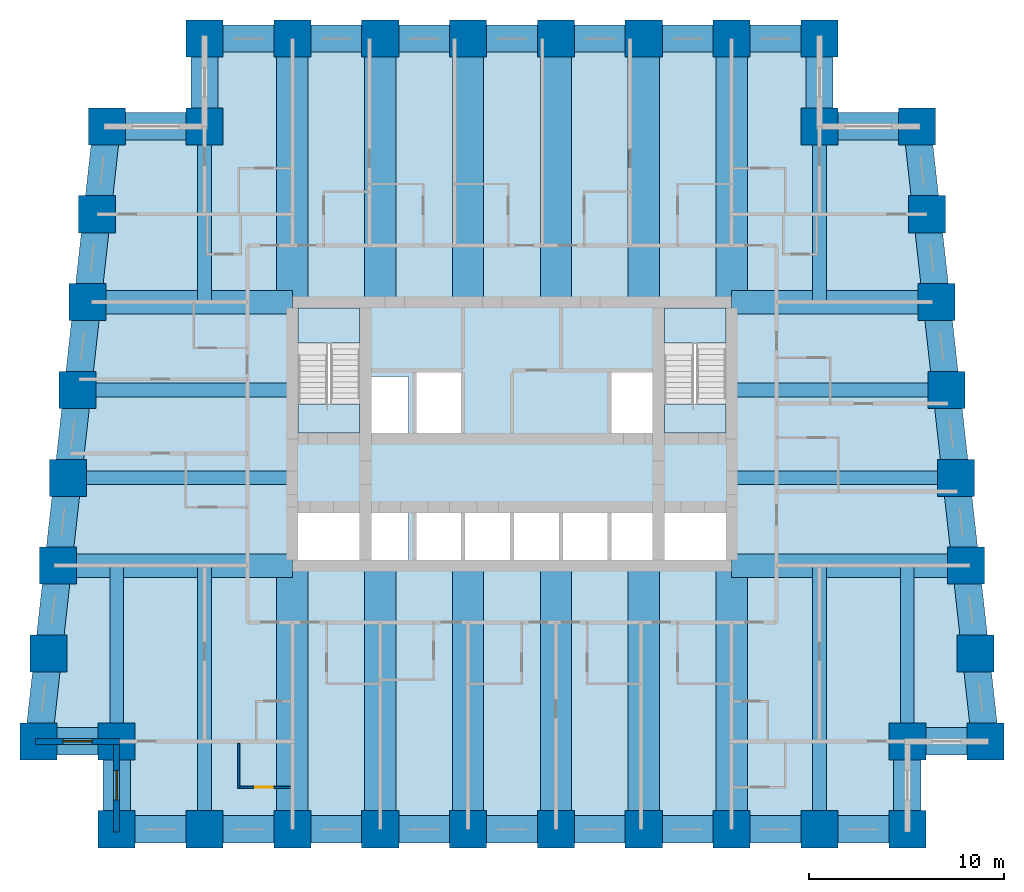
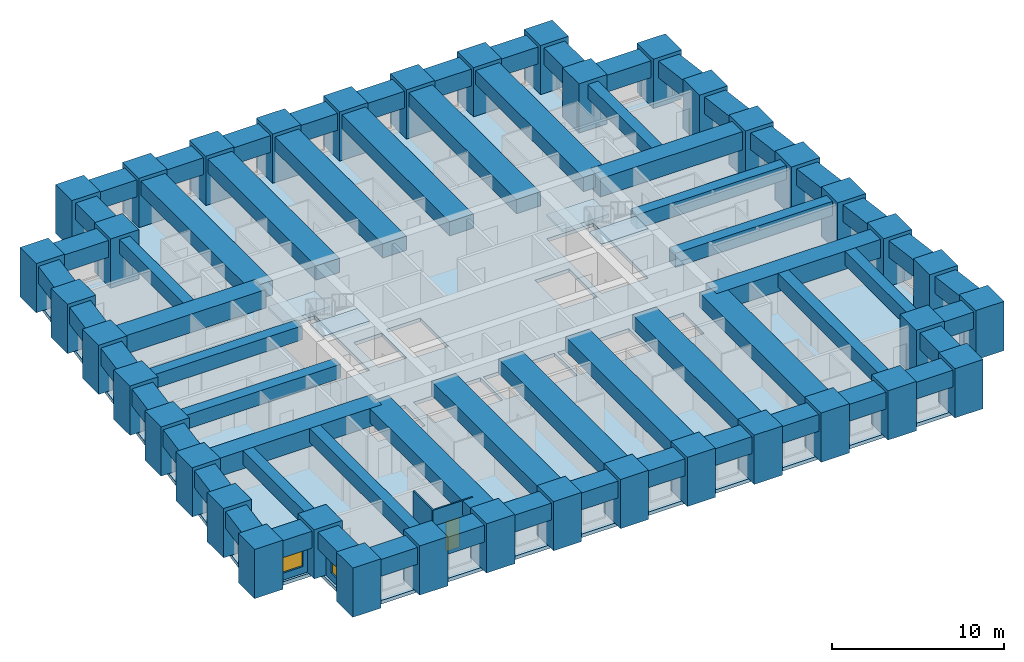
# One storey, part 1 of 8: 64 beams, 38 columns, 5 slabs, 4 walls, 2 windows, 1 door, 3 openings, 2 elements without a shape of their own.
"""IFC4 building model written with IfcOpenShell, lengths in metres."""

from ifc_helpers import new_model, si_unit, direction, frame, frame_2d, origin, origin_2d, place, context, subcontext, project, spatial, polyline, rectangle, outline, extrude, material, layer, layer_set, material_profile, profile_set, type_object, element, fill, aggregate, save


model = new_model("IFC4")

# Units and contexts
model_context = context("Model", 3, precision=1e-05, world=origin(), true_north=direction((0.0, 1.0)))
body_context = subcontext(model_context, "Body", "Model", "MODEL_VIEW")
ifc_project = project(units=[si_unit("LENGTHUNIT", "METRE"), si_unit("AREAUNIT", "SQUARE_METRE"), si_unit("VOLUMEUNIT", "CUBIC_METRE"), si_unit("PLANEANGLEUNIT", "RADIAN"), si_unit("MASSUNIT", "GRAM", prefix="KILO")], contexts=[model_context])

# Site, building, storey
site_placement = place(None, origin())
site = spatial("IfcSite", under=ifc_project, at=site_placement, CompositionType="ELEMENT")
building_placement = place(site_placement, origin())
building = spatial("IfcBuilding", under=site, at=building_placement, Name="Kilele Tower Hotel", CompositionType="ELEMENT")
storey_placement = place(building_placement, frame((0.0, 0.0, 61.199951171875)))
storey = spatial("IfcBuildingStorey", under=building, at=storey_placement, Name="L14", CompositionType="ELEMENT", Elevation=61.199951171875)

# Columns
ifc_material_1 = material(Name="Concrete C80/95", Category="concrete")
ifc_material_profile_1 = material_profile(ifc_material_1, rectangle(XDim=1.89990234375, YDim=1.89990234375, at=origin_2d()))
ifc_profile_set_1 = profile_set([ifc_material_profile_1], Name="Concrete C80/95")
column_type = type_object("IfcColumnType", Name="Tube column RC 1900x1900 C80/95", PredefinedType="COLUMN", material=ifc_profile_set_1)
for number, where, z_axis, x_axis, name in (
    (1, (0.5, 4.5, 0.0), (0.0, 0.0, 1.0), (1.0, 0.0, 0.0), "Column TC1 L14"),
    (2, (4.5, 4.5, 0.0), (0.0, 0.0, 1.0), (1.0, 0.0, 0.0), "Column TC1 L14"),
    (3, (4.5, 0.0, 0.0), (0.0, 0.0, 1.0), (1.0, 0.0, 0.0), "Column TC1 L14"),
    (4, (9.0, 0.0, 0.0), (0.0, 0.0, 1.0), (1.0, 0.0, 0.0), "Column TC1 L14"),
    (5, (13.5, 0.0, 0.0), (0.0, 0.0, 1.0), (1.0, 0.0, 0.0), "Column TC1 L14"),
    (6, (18.0, 0.0, 0.0), (0.0, 0.0, 1.0), (1.0, 0.0, 0.0), "Column TC1 L14"),
    (7, (22.5, 0.0, 0.0), (0.0, 0.0, 1.0), (1.0, 0.0, 0.0), "Column TC1 L14"),
    (8, (27.0, 0.0, 0.0), (0.0, 0.0, 1.0), (1.0, 0.0, 0.0), "Column TC1 L14"),
    (9, (31.5, 0.0, 0.0), (0.0, 0.0, 1.0), (1.0, 0.0, 0.0), "Column TC1 L14"),
    (10, (36.0, 0.0, 0.0), (0.0, 0.0, 1.0), (1.0, 0.0, 0.0), "Column TC1 L14"),
    (11, (40.5, 0.0, 0.0), (0.0, 0.0, 1.0), (1.0, 0.0, 0.0), "Column TC1 L14"),
    (12, (45.0, 0.0, 0.0), (0.0, 0.0, 1.0), (1.0, 0.0, 0.0), "Column TC1 L14"),
    (13, (45.0, 4.5, 0.0), (0.0, 0.0, 1.0), (1.0, 0.0, 0.0), "Column TC1 L14"),
    (14, (49.0, 4.5, 0.0), (0.0, 0.0, 1.0), (1.0, 0.0, 0.0), "Column TC1 L14"),
    (15, (48.5, 9.0, 0.0), (0.0, 0.0, 1.0), (1.0, 0.0, 0.0), "Column TC1 L14"),
    (16, (48.0, 13.5, 0.0), (0.0, 0.0, 1.0), (1.0, 0.0, 0.0), "Column TC1 L14"),
    (17, (47.5, 18.0, 0.0), (0.0, 0.0, 1.0), (1.0, 0.0, 0.0), "Column TC1 L14"),
    (18, (47.0, 22.5, 0.0), (0.0, 0.0, 1.0), (1.0, 0.0, 0.0), "Column TC1 L14"),
    (19, (46.5, 27.0, 0.0), (0.0, 0.0, 1.0), (1.0, 0.0, 0.0), "Column TC1 L14"),
    (20, (46.0, 31.5, 0.0), (0.0, 0.0, 1.0), (1.0, 0.0, 0.0), "Column TC1 L14"),
    (21, (45.5, 36.0, 0.0), (0.0, 0.0, 1.0), (1.0, 0.0, 0.0), "Column TC1 L14"),
    (22, (40.5, 36.0, 0.0), (0.0, 0.0, 1.0), (1.0, 0.0, 0.0), "Column TC1 L14"),
    (23, (40.5, 40.5, 0.0), (0.0, 0.0, 1.0), (1.0, 0.0, 0.0), "Column TC1 L14"),
    (24, (36.0, 40.5, 0.0), (0.0, 0.0, 1.0), (1.0, 0.0, 0.0), "Column TC1 L14"),
    (25, (31.5, 40.5, 0.0), (0.0, 0.0, 1.0), (1.0, 0.0, 0.0), "Column TC1 L14"),
    (26, (27.0, 40.5, 0.0), (0.0, 0.0, 1.0), (1.0, 0.0, 0.0), "Column TC1 L14"),
    (27, (22.5, 40.5, 0.0), (0.0, 0.0, 1.0), (1.0, 0.0, 0.0), "Column TC1 L14"),
    (28, (18.0, 40.5, 0.0), (0.0, 0.0, 1.0), (1.0, 0.0, 0.0), "Column TC1 L14"),
    (29, (13.5, 40.5, 0.0), (0.0, 0.0, 1.0), (1.0, 0.0, 0.0), "Column TC1 L14"),
    (30, (9.0, 40.5, 0.0), (0.0, 0.0, 1.0), (1.0, 0.0, 0.0), "Column TC1 L14"),
    (31, (9.0, 36.0, 0.0), (0.0, 0.0, 1.0), (1.0, 0.0, 0.0), "Column TC1 L14"),
    (32, (4.0, 36.0, 0.0), (0.0, 0.0, 1.0), (1.0, 0.0, 0.0), "Column TC1 L14"),
    (33, (3.5, 31.5, 0.0), (0.0, 0.0, 1.0), (1.0, 0.0, 0.0), "Column TC1 L14"),
    (34, (3.0, 27.0, 0.0), (0.0, 0.0, 1.0), (1.0, 0.0, 0.0), "Column TC1 L14"),
    (35, (2.5, 22.5, 0.0), (0.0, 0.0, 1.0), (1.0, 0.0, 0.0), "Column TC1 L14"),
    (36, (2.0, 18.0, 0.0), (0.0, 0.0, 1.0), (1.0, 0.0, 0.0), "Column TC1 L14"),
    (37, (1.5, 13.5, 0.0), (0.0, 0.0, 1.0), (1.0, 0.0, 0.0), "Column TC1 L14"),
    (38, (1.0, 9.0, 0.0), (0.0, 0.0, 1.0), (1.0, 0.0, 0.0), "Column TC1 L14"),
):
    element("IfcColumn", number, at=place(storey_placement, frame(where, z_axis=z_axis, x_axis=x_axis)), inside=storey, type_object=column_type, Name=name, PredefinedType="COLUMN", context=body_context, shape_type="SweptSolid", body=[
        extrude(rectangle(XDim=1.89990234375, YDim=1.89990234375, at=origin_2d()), origin(), (0.0, 0.0, 1.0), 3.5),
    ])

# Beams
ifc_material_2 = material(Name="Concrete C60/75", Category="concrete")
ifc_material_profile_2 = material_profile(ifc_material_2, rectangle(XDim=1.60009765625, YDim=1.0, at=origin_2d()))
ifc_profile_set_2 = profile_set([ifc_material_profile_2], Name="Concrete C60/75")
beam_type_1 = type_object("IfcBeamType", Name="Beam RC 1600x1000 C60/75", PredefinedType="BEAM", material=ifc_profile_set_2)
for number, where, z_axis, x_axis, name in (
    (39, (13.5, 0.0, 2.75), (0.0, 1.0, 0.0), (-1.0, 0.0, 0.0), "Beam BC1 level L15"),
    (40, (18.0, 0.0, 2.75), (0.0, 1.0, 0.0), (-1.0, 0.0, 0.0), "Beam BC1 level L15"),
    (41, (22.5, 0.0, 2.75), (0.0, 1.0, 0.0), (-1.0, 0.0, 0.0), "Beam BC1 level L15"),
    (42, (27.0, 0.0, 2.75), (0.0, 1.0, 0.0), (-1.0, 0.0, 0.0), "Beam BC1 level L15"),
    (43, (31.5, 0.0, 2.75), (0.0, 1.0, 0.0), (-1.0, 0.0, 0.0), "Beam BC1 level L15"),
    (44, (36.0, 0.0, 2.75), (0.0, 1.0, 0.0), (-1.0, 0.0, 0.0), "Beam BC1 level L15"),
    (45, (36.0, 40.5, 2.75), (0.0, -1.0, 0.0), (1.0, 0.0, 0.0), "Beam BC1 level L15"),
    (46, (31.5, 40.5, 2.75), (0.0, -1.0, 0.0), (1.0, 0.0, 0.0), "Beam BC1 level L15"),
    (47, (27.0, 40.5, 2.75), (0.0, -1.0, 0.0), (1.0, 0.0, 0.0), "Beam BC1 level L15"),
    (48, (22.5, 40.5, 2.75), (0.0, -1.0, 0.0), (1.0, 0.0, 0.0), "Beam BC1 level L15"),
    (49, (18.0, 40.5, 2.75), (0.0, -1.0, 0.0), (1.0, 0.0, 0.0), "Beam BC1 level L15"),
    (50, (13.5, 40.5, 2.75), (0.0, -1.0, 0.0), (1.0, 0.0, 0.0), "Beam BC1 level L15"),
):
    element("IfcBeam", number, at=place(storey_placement, frame(where, z_axis=z_axis, x_axis=x_axis)), inside=storey, type_object=beam_type_1, Name=name, PredefinedType="BEAM", context=body_context, shape_type="SweptSolid", body=[
        extrude(rectangle(XDim=1.60009765625, YDim=1.0, at=origin_2d()), origin(), (0.0, 0.0, 1.0), 13.5),
    ])
ifc_material_3 = material(Name="Concrete C60/75", Category="concrete")
ifc_material_profile_3 = material_profile(ifc_material_3, rectangle(XDim=0.699951171875, YDim=1.0, at=origin_2d()))
ifc_profile_set_3 = profile_set([ifc_material_profile_3], Name="Concrete C60/75")
beam_type_2 = type_object("IfcBeamType", Name="Beam RC 700x1000 C60/75", PredefinedType="BEAM", material=ifc_profile_set_3)
for number, where, z_axis, x_axis, name in (
    (51, (9.0, 0.0, 2.75), (0.0, 1.0, 0.0), (-1.0, 0.0, 0.0), "Beam B4 level L15"),
    (52, (40.5, 0.0, 2.75), (0.0, 1.0, 0.0), (-1.0, 0.0, 0.0), "Beam B4 level L15"),
):
    element("IfcBeam", number, at=place(storey_placement, frame(where, z_axis=z_axis, x_axis=x_axis)), inside=storey, type_object=beam_type_2, Name=name, PredefinedType="BEAM", context=body_context, shape_type="SweptSolid", body=[
        extrude(rectangle(XDim=0.699951171875, YDim=1.0, at=origin_2d()), origin(), (0.0, 0.0, 1.0), 13.5),
    ])
ifc_material_4 = material(Name="Concrete C60/75", Category="concrete")
ifc_material_profile_4 = material_profile(ifc_material_4, rectangle(XDim=0.699951171875, YDim=1.0, at=origin_2d()))
ifc_profile_set_4 = profile_set([ifc_material_profile_4], Name="Concrete C60/75")
beam_type_3 = type_object("IfcBeamType", Name="Beam RC 700x1000 C60/75 mid span", PredefinedType="BEAM", material=ifc_profile_set_4)
for number, where, z_axis, x_axis, name in (
    (53, (4.5, 4.5, 2.75), (0.0, 1.0, 0.0), (-1.0, 0.0, 0.0), "Beam B5 level L15"),
    (54, (45.0, 4.5, 2.75), (0.0, 1.0, 0.0), (-1.0, 0.0, 0.0), "Beam B5 level L15"),
):
    element("IfcBeam", number, at=place(storey_placement, frame(where, z_axis=z_axis, x_axis=x_axis)), inside=storey, type_object=beam_type_3, Name=name, PredefinedType="BEAM", context=body_context, shape_type="SweptSolid", body=[
        extrude(rectangle(XDim=0.699951171875, YDim=1.0, at=origin_2d()), origin(), (0.0, 0.0, 1.0), 9.0),
    ])
beam_1_placement = place(storey_placement, frame((47.5, 18.0, 2.75), z_axis=(-1.0, 0.0, 0.0), x_axis=(0.0, -1.0, 0.0)))
element("IfcBeam", 55, at=beam_1_placement, inside=storey, type_object=beam_type_3, Name="Beam B5 level L15", PredefinedType="BEAM", context=body_context, shape_type="SweptSolid", body=[
    extrude(rectangle(XDim=0.699951171875, YDim=1.0, at=origin_2d()), origin(), (0.0, 0.0, 1.0), 11.5),
])
beam_2_placement = place(storey_placement, frame((47.0, 22.5, 2.75), z_axis=(-1.0, 0.0, 0.0), x_axis=(0.0, -1.0, 0.0)))
element("IfcBeam", 56, at=beam_2_placement, inside=storey, type_object=beam_type_3, Name="Beam B5 level L15", PredefinedType="BEAM", context=body_context, shape_type="SweptSolid", body=[
    extrude(rectangle(XDim=0.699951171875, YDim=1.0, at=origin_2d()), origin(), (0.0, 0.0, 1.0), 11.0),
])
for number, where, z_axis, x_axis, name in (
    (57, (40.5, 36.0, 2.75), (0.0, -1.0, 0.0), (1.0, 0.0, 0.0), "Beam B5 level L15"),
    (58, (9.0, 36.0, 2.75), (0.0, -1.0, 0.0), (1.0, 0.0, 0.0), "Beam B5 level L15"),
):
    element("IfcBeam", number, at=place(storey_placement, frame(where, z_axis=z_axis, x_axis=x_axis)), inside=storey, type_object=beam_type_3, Name=name, PredefinedType="BEAM", context=body_context, shape_type="SweptSolid", body=[
        extrude(rectangle(XDim=0.699951171875, YDim=1.0, at=origin_2d()), origin(), (0.0, 0.0, 1.0), 9.0),
    ])
beam_3_placement = place(storey_placement, frame((2.5, 22.5, 2.75), z_axis=(1.0, 0.0, 0.0), x_axis=(0.0, 1.0, 0.0)))
element("IfcBeam", 59, at=beam_3_placement, inside=storey, type_object=beam_type_3, Name="Beam B5 level L15", PredefinedType="BEAM", context=body_context, shape_type="SweptSolid", body=[
    extrude(rectangle(XDim=0.699951171875, YDim=1.0, at=origin_2d()), origin(), (0.0, 0.0, 1.0), 11.0),
])
beam_4_placement = place(storey_placement, frame((2.0, 18.0, 2.75), z_axis=(1.0, 0.0, 0.0), x_axis=(0.0, 1.0, 0.0)))
element("IfcBeam", 60, at=beam_4_placement, inside=storey, type_object=beam_type_3, Name="Beam B5 level L15", PredefinedType="BEAM", context=body_context, shape_type="SweptSolid", body=[
    extrude(rectangle(XDim=0.699951171875, YDim=1.0, at=origin_2d()), origin(), (0.0, 0.0, 1.0), 11.5),
])
ifc_material_5 = material(Name="Concrete C60/75", Category="concrete")
ifc_material_profile_5 = material_profile(ifc_material_5, rectangle(XDim=1.199951171875, YDim=1.300048828125, at=origin_2d()))
ifc_profile_set_5 = profile_set([ifc_material_profile_5], Name="Concrete C60/75")
beam_type_4 = type_object("IfcBeamType", Name="Girder RC 1200x1300 C60/75", PredefinedType="BEAM", material=ifc_profile_set_5)
for number, where, z_axis, x_axis, name in (
    (61, (48.0, 13.5, 2.60009765625), (-1.0, 0.0, 0.0), (0.0, -1.0, 0.0), "Girder G1 level L15"),
    (62, (1.5, 13.5, 2.60009765625), (1.0, 0.0, 0.0), (0.0, 1.0, 0.0), "Girder G1 level L15"),
):
    element("IfcBeam", number, at=place(storey_placement, frame(where, z_axis=z_axis, x_axis=x_axis)), inside=storey, type_object=beam_type_4, Name=name, PredefinedType="BEAM", context=body_context, shape_type="SweptSolid", body=[
        extrude(rectangle(XDim=1.199951171875, YDim=1.300048828125, at=origin_2d()), origin(), (0.0, 0.0, 1.0), 12.0),
    ])
ifc_material_6 = material(Name="Concrete C60/75", Category="concrete")
ifc_material_profile_6 = material_profile(ifc_material_6, rectangle(XDim=1.199951171875, YDim=1.300048828125, at=origin_2d()))
ifc_profile_set_6 = profile_set([ifc_material_profile_6], Name="Concrete C60/75")
beam_type_5 = type_object("IfcBeamType", Name="Girder RC 1200x1300 C60/75 mid span", PredefinedType="BEAM", material=ifc_profile_set_6)
for number, where, z_axis, x_axis, name in (
    (63, (46.5, 27.0, 2.60009765625), (-1.0, 0.0, 0.0), (0.0, -1.0, 0.0), "Girder G3 level L15"),
    (64, (3.0, 27.0, 2.60009765625), (1.0, 0.0, 0.0), (0.0, 1.0, 0.0), "Girder G3 level L15"),
):
    element("IfcBeam", number, at=place(storey_placement, frame(where, z_axis=z_axis, x_axis=x_axis)), inside=storey, type_object=beam_type_5, Name=name, PredefinedType="BEAM", context=body_context, shape_type="SweptSolid", body=[
        extrude(rectangle(XDim=1.199951171875, YDim=1.300048828125, at=origin_2d()), origin(), (0.0, 0.0, 1.0), 10.5),
    ])
ifc_material_7 = material(Name="Concrete C60/75", Category="concrete")
ifc_material_profile_7 = material_profile(ifc_material_7, rectangle(XDim=1.39990234375, YDim=1.199951171875, at=origin_2d()))
ifc_profile_set_7 = profile_set([ifc_material_profile_7], Name="Concrete C60/75")
beam_type_6 = type_object("IfcBeamType", Name="Spandrel RC 1400x1200 C60/75", PredefinedType="SPANDREL", material=ifc_profile_set_7)
beam_5_placement = place(storey_placement, frame((0.5, 4.5, 2.650146484375), z_axis=(1.0, 0.0, 0.0), x_axis=(0.0, 1.0, 0.0)))
element("IfcBeam", 65, at=beam_5_placement, inside=storey, type_object=beam_type_6, Name="Spandrel SP10 level L15", PredefinedType="SPANDREL", context=body_context, shape_type="SweptSolid", body=[
    extrude(rectangle(XDim=1.39990234375, YDim=1.199951171875, at=origin_2d()), origin(), (0.0, 0.0, 1.0), 4.0),
])
for number, where, z_axis, x_axis, name in (
    (66, (4.5, 4.5, 2.650146484375), (0.0, -1.0, 0.0), (1.0, 0.0, 0.0), "Spandrel SP10 level L15"),
    (67, (4.5, 0.0, 2.650146484375), (1.0, 0.0, 0.0), (0.0, 1.0, 0.0), "Spandrel SP10 level L15"),
    (68, (9.0, 0.0, 2.650146484375), (1.0, 0.0, 0.0), (0.0, 1.0, 0.0), "Spandrel SP10 level L15"),
    (69, (13.5, 0.0, 2.650146484375), (1.0, 0.0, 0.0), (0.0, 1.0, 0.0), "Spandrel SP10 level L15"),
    (70, (18.0, 0.0, 2.650146484375), (1.0, 0.0, 0.0), (0.0, 1.0, 0.0), "Spandrel SP10 level L15"),
    (71, (22.5, 0.0, 2.650146484375), (1.0, 0.0, 0.0), (0.0, 1.0, 0.0), "Spandrel SP10 level L15"),
    (72, (27.0, 0.0, 2.650146484375), (1.0, 0.0, 0.0), (0.0, 1.0, 0.0), "Spandrel SP10 level L15"),
    (73, (31.5, 0.0, 2.650146484375), (1.0, 0.0, 0.0), (0.0, 1.0, 0.0), "Spandrel SP10 level L15"),
    (74, (36.0, 0.0, 2.650146484375), (1.0, 0.0, 0.0), (0.0, 1.0, 0.0), "Spandrel SP10 level L15"),
    (75, (40.5, 0.0, 2.650146484375), (1.0, 0.0, 0.0), (0.0, 1.0, 0.0), "Spandrel SP10 level L15"),
    (76, (45.0, 0.0, 2.650146484375), (0.0, 1.0, 0.0), (-1.0, 0.0, 0.0), "Spandrel SP10 level L15"),
):
    element("IfcBeam", number, at=place(storey_placement, frame(where, z_axis=z_axis, x_axis=x_axis)), inside=storey, type_object=beam_type_6, Name=name, PredefinedType="SPANDREL", context=body_context, shape_type="SweptSolid", body=[
        extrude(rectangle(XDim=1.39990234375, YDim=1.199951171875, at=origin_2d()), origin(), (0.0, 0.0, 1.0), 4.5),
    ])
beam_6_placement = place(storey_placement, frame((45.0, 4.5, 2.650146484375), z_axis=(1.0, 0.0, 0.0), x_axis=(0.0, 1.0, 0.0)))
element("IfcBeam", 77, at=beam_6_placement, inside=storey, type_object=beam_type_6, Name="Spandrel SP10 level L15", PredefinedType="SPANDREL", context=body_context, shape_type="SweptSolid", body=[
    extrude(rectangle(XDim=1.39990234375, YDim=1.199951171875, at=origin_2d()), origin(), (0.0, 0.0, 1.0), 4.0),
])
for number, where, z_axis, x_axis, name in (
    (78, (49.0, 4.5, 2.650146484375), (-0.110431526075, 0.993883734674, 0.0), (-0.993883734674, -0.110431526075, 0.0), "Spandrel SP10 level L15"),
    (79, (48.5, 9.0, 2.650146484375), (-0.110431526075, 0.993883734674, 0.0), (-0.993883734674, -0.110431526075, 0.0), "Spandrel SP10 level L15"),
    (80, (48.0, 13.5, 2.650146484375), (-0.110431526075, 0.993883734674, 0.0), (-0.993883734674, -0.110431526075, 0.0), "Spandrel SP10 level L15"),
    (81, (47.5, 18.0, 2.650146484375), (-0.110431526075, 0.993883734674, 0.0), (-0.993883734674, -0.110431526075, 0.0), "Spandrel SP10 level L15"),
    (82, (47.0, 22.5, 2.650146484375), (-0.110431526075, 0.993883734674, 0.0), (-0.993883734674, -0.110431526075, 0.0), "Spandrel SP10 level L15"),
    (83, (46.5, 27.0, 2.650146484375), (-0.110431526075, 0.993883734674, 0.0), (-0.993883734674, -0.110431526075, 0.0), "Spandrel SP10 level L15"),
    (84, (46.0, 31.5, 2.650146484375), (-0.110431526075, 0.993883734674, 0.0), (-0.993883734674, -0.110431526075, 0.0), "Spandrel SP10 level L15"),
):
    element("IfcBeam", number, at=place(storey_placement, frame(where, z_axis=z_axis, x_axis=x_axis)), inside=storey, type_object=beam_type_6, Name=name, PredefinedType="SPANDREL", context=body_context, shape_type="SweptSolid", body=[
        extrude(rectangle(XDim=1.39990234375, YDim=1.199951171875, at=origin_2d()), origin(), (0.0, 0.0, 1.0), 4.527587890625),
    ])
beam_7_placement = place(storey_placement, frame((45.5, 36.0, 2.650146484375), z_axis=(-1.0, 0.0, 0.0), x_axis=(0.0, -1.0, 0.0)))
element("IfcBeam", 85, at=beam_7_placement, inside=storey, type_object=beam_type_6, Name="Spandrel SP10 level L15", PredefinedType="SPANDREL", context=body_context, shape_type="SweptSolid", body=[
    extrude(rectangle(XDim=1.39990234375, YDim=1.199951171875, at=origin_2d()), origin(), (0.0, 0.0, 1.0), 5.0),
])
for number, where, z_axis, x_axis, name in (
    (86, (40.5, 36.0, 2.650146484375), (0.0, 1.0, 0.0), (-1.0, 0.0, 0.0), "Spandrel SP10 level L15"),
    (87, (40.5, 40.5, 2.650146484375), (-1.0, 0.0, 0.0), (0.0, -1.0, 0.0), "Spandrel SP10 level L15"),
    (88, (36.0, 40.5, 2.650146484375), (-1.0, 0.0, 0.0), (0.0, -1.0, 0.0), "Spandrel SP10 level L15"),
    (89, (31.5, 40.5, 2.650146484375), (-1.0, 0.0, 0.0), (0.0, -1.0, 0.0), "Spandrel SP10 level L15"),
    (90, (27.0, 40.5, 2.650146484375), (-1.0, 0.0, 0.0), (0.0, -1.0, 0.0), "Spandrel SP10 level L15"),
    (91, (22.5, 40.5, 2.650146484375), (-1.0, 0.0, 0.0), (0.0, -1.0, 0.0), "Spandrel SP10 level L15"),
    (92, (18.0, 40.5, 2.650146484375), (-1.0, 0.0, 0.0), (0.0, -1.0, 0.0), "Spandrel SP10 level L15"),
    (93, (13.5, 40.5, 2.650146484375), (-1.0, 0.0, 0.0), (0.0, -1.0, 0.0), "Spandrel SP10 level L15"),
    (94, (9.0, 40.5, 2.650146484375), (0.0, -1.0, 0.0), (1.0, 0.0, 0.0), "Spandrel SP10 level L15"),
):
    element("IfcBeam", number, at=place(storey_placement, frame(where, z_axis=z_axis, x_axis=x_axis)), inside=storey, type_object=beam_type_6, Name=name, PredefinedType="SPANDREL", context=body_context, shape_type="SweptSolid", body=[
        extrude(rectangle(XDim=1.39990234375, YDim=1.199951171875, at=origin_2d()), origin(), (0.0, 0.0, 1.0), 4.5),
    ])
beam_8_placement = place(storey_placement, frame((9.0, 36.0, 2.650146484375), z_axis=(-1.0, 0.0, 0.0), x_axis=(0.0, -1.0, 0.0)))
element("IfcBeam", 95, at=beam_8_placement, inside=storey, type_object=beam_type_6, Name="Spandrel SP10 level L15", PredefinedType="SPANDREL", context=body_context, shape_type="SweptSolid", body=[
    extrude(rectangle(XDim=1.39990234375, YDim=1.199951171875, at=origin_2d()), origin(), (0.0, 0.0, 1.0), 5.0),
])
for number, where, z_axis, x_axis, name in (
    (96, (4.0, 36.0, 2.650146484375), (-0.110431526075, -0.993883734674, 0.0), (0.993883734674, -0.110431526075, 0.0), "Spandrel SP10 level L15"),
    (97, (3.5, 31.5, 2.650146484375), (-0.110431526075, -0.993883734674, 0.0), (0.993883734674, -0.110431526075, 0.0), "Spandrel SP10 level L15"),
    (98, (3.0, 27.0, 2.650146484375), (-0.110431526075, -0.993883734674, 0.0), (0.993883734674, -0.110431526075, 0.0), "Spandrel SP10 level L15"),
    (99, (2.5, 22.5, 2.650146484375), (-0.110431526075, -0.993883734674, 0.0), (0.993883734674, -0.110431526075, 0.0), "Spandrel SP10 level L15"),
    (100, (2.0, 18.0, 2.650146484375), (-0.110431526075, -0.993883734674, 0.0), (0.993883734674, -0.110431526075, 0.0), "Spandrel SP10 level L15"),
    (101, (1.5, 13.5, 2.650146484375), (-0.110431526075, -0.993883734674, 0.0), (0.993883734674, -0.110431526075, 0.0), "Spandrel SP10 level L15"),
    (102, (1.0, 9.0, 2.650146484375), (-0.110431526075, -0.993883734674, 0.0), (0.993883734674, -0.110431526075, 0.0), "Spandrel SP10 level L15"),
):
    element("IfcBeam", number, at=place(storey_placement, frame(where, z_axis=z_axis, x_axis=x_axis)), inside=storey, type_object=beam_type_6, Name=name, PredefinedType="SPANDREL", context=body_context, shape_type="SweptSolid", body=[
        extrude(rectangle(XDim=1.39990234375, YDim=1.199951171875, at=origin_2d()), origin(), (0.0, 0.0, 1.0), 4.527587890625),
    ])

# Slab
ifc_material_8 = material(Name="Concrete C60/75", Category="concrete")
ifc_layer_1 = layer(ifc_material_8, 0.25)
ifc_layer_set_1 = layer_set([ifc_layer_1], Name="Concrete C60/75")
slab_type_1 = type_object("IfcSlabType", Name="Floor slab 250", PredefinedType="FLOOR", material=ifc_layer_set_1)
slab_1_placement = place(storey_placement, frame((0.0, 0.0, -0.25)))
element("IfcSlab", 103, at=slab_1_placement, inside=storey, type_object=slab_type_1, Name="Floor slab L14", PredefinedType="FLOOR", context=body_context, shape_type="SweptSolid", body=[
    extrude(outline(polyline([(8.699951171875, 36.300048828125), (8.699951171875, 40.800048828125), (40.800048828125, 40.800048828125), (40.800048828125, 36.300048828125), (45.7685546875, 36.300048828125), (49.335205078125, 4.199951171875), (45.300048828125, 4.199951171875), (45.300048828125, -0.300048828125), (4.199951171875, -0.300048828125), (4.199951171875, 4.199951171875), (0.164794921875, 4.199951171875), (3.7314453125, 36.300048828125), (8.699951171875, 36.300048828125)]), holes=[polyline([(16.949951171875, 16.199951171875), (13.800048828125, 16.199951171875), (13.800048828125, 13.800048828125), (16.949951171875, 13.800048828125), (16.949951171875, 16.199951171875)]), polyline([(19.449951171875, 13.800048828125), (19.449951171875, 16.199951171875), (17.550048828125, 16.199951171875), (17.550048828125, 13.800048828125), (19.449951171875, 13.800048828125)]), polyline([(22.14990234375, 13.800048828125), (22.14990234375, 16.39990234375), (19.85009765625, 16.39990234375), (19.85009765625, 13.800048828125), (22.14990234375, 13.800048828125)]), polyline([(24.64990234375, 16.39990234375), (22.35009765625, 16.39990234375), (22.35009765625, 13.800048828125), (24.64990234375, 13.800048828125), (24.64990234375, 16.39990234375)]), polyline([(19.449951171875, 20.300048828125), (19.449951171875, 23.199951171875), (17.550048828125, 23.199951171875), (17.550048828125, 20.300048828125), (19.449951171875, 20.300048828125)]), polyline([(22.14990234375, 20.10009765625), (22.14990234375, 23.39990234375), (19.85009765625, 23.39990234375), (19.85009765625, 20.10009765625), (22.14990234375, 20.10009765625)]), polyline([(16.949951171875, 26.699951171875), (13.800048828125, 26.699951171875), (13.800048828125, 20.300048828125), (16.949951171875, 20.300048828125), (16.949951171875, 26.699951171875)]), polyline([(35.699951171875, 13.800048828125), (35.699951171875, 16.199951171875), (32.550048828125, 16.199951171875), (32.550048828125, 13.800048828125), (35.699951171875, 13.800048828125)]), polyline([(27.14990234375, 13.800048828125), (27.14990234375, 16.39990234375), (24.85009765625, 16.39990234375), (24.85009765625, 13.800048828125), (27.14990234375, 13.800048828125)]), polyline([(29.64990234375, 13.800048828125), (29.64990234375, 16.39990234375), (27.35009765625, 16.39990234375), (27.35009765625, 13.800048828125), (29.64990234375, 13.800048828125)]), polyline([(32.14990234375, 13.800048828125), (32.14990234375, 16.39990234375), (29.85009765625, 16.39990234375), (29.85009765625, 13.800048828125), (32.14990234375, 13.800048828125)]), polyline([(32.14990234375, 20.10009765625), (32.14990234375, 23.39990234375), (29.85009765625, 23.39990234375), (29.85009765625, 20.10009765625), (32.14990234375, 20.10009765625)]), polyline([(35.699951171875, 20.300048828125), (35.699951171875, 26.699951171875), (32.550048828125, 26.699951171875), (32.550048828125, 20.300048828125), (35.699951171875, 20.300048828125)])]), origin(), (0.0, 0.0, 1.0), 0.25),
])

# Stair, slabs
ifc_material_9 = material(Name="Precast concrete C40/50", Category="concrete")
stair_type = type_object("IfcStairType", Name="Stair 1475 x 3500", PredefinedType="HALF_TURN_STAIR", material=ifc_material_9)
stair_1_placement = place(storey_placement, origin())
stair_1 = element("IfcStair", 104, at=stair_1_placement, inside=storey, type_object=stair_type, Name="Stair 1 L14", PredefinedType="HALF_TURN_STAIR")
ifc_material_10 = material(Name="Precast concrete C40/50", Category="concrete")
ifc_layer_2 = layer(ifc_material_10, 0.199951171875)
ifc_layer_set_2 = layer_set([ifc_layer_2], Name="Precast concrete C40/50")
slab_type_2 = type_object("IfcSlabType", Name="Stair landing 200", PredefinedType="LANDING", material=ifc_layer_set_2)
slab_2_placement = place(storey_placement, frame((0.0, 0.0, 1.550048828125)))
slab_2 = element("IfcSlab", 105, at=slab_2_placement, type_object=slab_type_2, Name="ST1 landing 1", PredefinedType="LANDING", context=body_context, shape_type="SweptSolid", body=[
    extrude(outline(polyline([(13.800048828125, 24.89501953125), (16.949951171875, 24.89501953125), (16.949951171875, 26.699951171875), (13.800048828125, 26.699951171875), (13.800048828125, 24.89501953125)])), origin(), (0.0, 0.0, 1.0), 0.199951171875),
])
slab_3_placement = place(storey_placement, frame((0.0, 0.0, 3.300048828125)))
slab_3 = element("IfcSlab", 106, at=slab_3_placement, type_object=slab_type_2, Name="ST1 landing 2", PredefinedType="LANDING", context=body_context, shape_type="SweptSolid", body=[
    extrude(outline(polyline([(13.800048828125, 20.300048828125), (16.949951171875, 20.300048828125), (16.949951171875, 21.77490234375), (13.800048828125, 21.77490234375), (13.800048828125, 20.300048828125)])), origin(), (0.0, 0.0, 1.0), 0.199951171875),
])
aggregate(stair_1, [slab_2, slab_3])

stair_2_placement = place(storey_placement, origin())
stair_2 = element("IfcStair", 107, at=stair_2_placement, inside=storey, type_object=stair_type, Name="Stair 2 L14", PredefinedType="HALF_TURN_STAIR")
slab_4_placement = place(storey_placement, frame((0.0, 0.0, 1.550048828125)))
slab_4 = element("IfcSlab", 108, at=slab_4_placement, type_object=slab_type_2, Name="ST2 landing 1", PredefinedType="LANDING", context=body_context, shape_type="SweptSolid", body=[
    extrude(outline(polyline([(32.550048828125, 24.89501953125), (35.699951171875, 24.89501953125), (35.699951171875, 26.699951171875), (32.550048828125, 26.699951171875), (32.550048828125, 24.89501953125)])), origin(), (0.0, 0.0, 1.0), 0.199951171875),
])
slab_5_placement = place(storey_placement, frame((0.0, 0.0, 3.300048828125)))
slab_5 = element("IfcSlab", 109, at=slab_5_placement, type_object=slab_type_2, Name="ST2 landing 2", PredefinedType="LANDING", context=body_context, shape_type="SweptSolid", body=[
    extrude(outline(polyline([(32.550048828125, 20.300048828125), (35.699951171875, 20.300048828125), (35.699951171875, 21.77490234375), (32.550048828125, 21.77490234375), (32.550048828125, 20.300048828125)])), origin(), (0.0, 0.0, 1.0), 0.199951171875),
])
aggregate(stair_2, [slab_4, slab_5])

# Wall
ifc_material_11 = material(Name="Moisture-resistant board")
ifc_layer_3 = layer(ifc_material_11, 0.10009765625)
ifc_layer_set_3 = layer_set([ifc_layer_3], Name="Moisture-resistant board")
wall_type_1 = type_object("IfcWallType", Name="Bathroom partition 100", PredefinedType="PLUMBINGWALL", material=ifc_layer_set_3)
wall_1_placement = place(storey_placement, frame((10.75, 4.39990234375, 0.0), z_axis=(0.0, 0.0, 1.0), x_axis=(0.0, -1.0, 0.0)))
element("IfcWall", 110, at=wall_1_placement, inside=storey, type_object=wall_type_1, Name="Bathroom partition 100 L14", PredefinedType="PLUMBINGWALL", context=body_context, shape_type="SweptSolid", body=[
    extrude(rectangle(XDim=2.2998046875, YDim=0.10009765625, at=frame_2d((1.14990234375, 0.0))), origin(), (0.0, 0.0, 1.0), 3.25),
])

# Wall, opening, door
wall_2_placement = place(storey_placement, frame((13.39990234375, 2.14990234375, 0.0), z_axis=(0.0, 0.0, 1.0), x_axis=(-1.0, 0.0, 0.0)))
wall_2 = element("IfcWall", 111, at=wall_2_placement, inside=storey, type_object=wall_type_1, Name="Bathroom partition 100 L14", PredefinedType="PLUMBINGWALL", context=body_context, shape_type="SweptSolid", body=[
    extrude(rectangle(XDim=2.699951171875, YDim=0.10009765625, at=frame_2d((1.35009765625, 0.0))), origin(), (0.0, 0.0, 1.0), 3.25),
])
opening_1_placement = place(wall_2_placement, frame((0.89990234375, 0.0, 0.0)))
opening_1 = element("IfcOpeningElement", 112, at=opening_1_placement, cuts=wall_2, Name="Opening D2A", PredefinedType="OPENING", context=body_context, shape_type="SweptSolid", body=[
    extrude(rectangle(XDim=0.89990234375, YDim=2.10009765625, at=frame_2d((0.449951171875, 1.050048828125))), frame((0.0, 0.06005859375, 0.0), z_axis=(0.0, -1.0, 0.0), x_axis=(1.0, 0.0, 0.0)), (0.0, 0.0, 1.0), 0.1201171875),
])
ifc_material_12 = material(Name="Timber door leaf in hardwood frame", Category="wood")
door_type = type_object("IfcDoorType", Name="Bathroom door 900", OperationType="SINGLE_SWING_LEFT", PredefinedType="DOOR", material=ifc_material_12)
door_placement = place(opening_1_placement, origin())
door = element("IfcDoor", 113, at=door_placement, inside=storey, type_object=door_type, Name="Bathroom door 1419B", OperationType="SINGLE_SWING_LEFT", OverallHeight=2.10009765625, OverallWidth=0.89990234375, PredefinedType="DOOR", context=body_context, shape_type="SweptSolid", body=[
    extrude(rectangle(XDim=0.89990234375, YDim=2.10009765625, at=frame_2d((0.449951171875, 1.050048828125))), frame((0.0, 0.02490234375, 0.0), z_axis=(0.0, -1.0, 0.0), x_axis=(1.0, 0.0, 0.0)), (0.0, 0.0, 1.0), 0.050048828125),
])
fill(opening_1, door)

# Wall, opening, window
ifc_material_13 = material(Name="Concrete C40/50 precast", Category="concrete")
ifc_layer_4 = layer(ifc_material_13, 0.260009765625, Name="Precast backing", Category="LoadBearing")
ifc_material_14 = material(Name="Reconstituted stone finish", Category="masonry")
ifc_layer_5 = layer(ifc_material_14, 0.0400390625, Name="Face mix", Category="Finish")
ifc_layer_set_4 = layer_set([ifc_layer_4, ifc_layer_5], Name="Precast concrete C40/50, reconstituted stone finish")
wall_type_2 = type_object("IfcWallType", Name="Precast stone facade wall 300", PredefinedType="STANDARD", material=ifc_layer_set_4)
wall_3_placement = place(storey_placement, frame((0.35009765625, 4.5, 0.0), z_axis=(0.0, 0.0, 1.0), x_axis=(1.0, 0.0, 0.0)))
wall_3 = element("IfcWall", 114, at=wall_3_placement, inside=storey, type_object=wall_type_2, Name="Facade wall L14 edge 1", PredefinedType="STANDARD", context=body_context, shape_type="SweptSolid", body=[
    extrude(rectangle(XDim=4.2998046875, YDim=0.300048828125, at=frame_2d((2.14990234375, 0.0))), origin(), (0.0, 0.0, 1.0), 2.050048828125),
])
opening_2_placement = place(wall_3_placement, frame((1.39990234375, 0.0, 0.5)))
opening_2 = element("IfcOpeningElement", 115, at=opening_2_placement, cuts=wall_3, Name="Opening W1", PredefinedType="OPENING", context=body_context, shape_type="SweptSolid", body=[
    extrude(rectangle(XDim=1.5, YDim=1.39990234375, at=frame_2d((0.75, 0.699951171875))), frame((0.0, 0.159912109375, 0.0), z_axis=(0.0, -1.0, 0.0), x_axis=(1.0, 0.0, 0.0)), (0.0, 0.0, 1.0), 0.320068359375),
])
ifc_material_15 = material(Name="Aluminium frame, clear double glazing", Category="aluminium")
window_type = type_object("IfcWindowType", Name="Window W1 1500 x 1400", PartitioningType="SINGLE_PANEL", PredefinedType="WINDOW", material=ifc_material_15)
window_1_placement = place(opening_2_placement, origin())
window_1 = element("IfcWindow", 116, at=window_1_placement, inside=storey, type_object=window_type, Name="Window L14", OverallHeight=1.39990234375, OverallWidth=1.5, PartitioningType="SINGLE_PANEL", PredefinedType="WINDOW", context=body_context, shape_type="SweptSolid", body=[
    extrude(rectangle(XDim=1.5, YDim=1.39990234375, at=frame_2d((0.75, 0.699951171875))), frame((0.0, 0.030029296875, 0.0), z_axis=(0.0, -1.0, 0.0), x_axis=(1.0, 0.0, 0.0)), (0.0, 0.0, 1.0), 0.06005859375),
])
fill(opening_2, window_1)

wall_4_placement = place(storey_placement, frame((4.5, 4.64990234375, 0.0), z_axis=(0.0, 0.0, 1.0), x_axis=(0.0, -1.0, 0.0)))
wall_4 = element("IfcWall", 117, at=wall_4_placement, inside=storey, type_object=wall_type_2, Name="Facade wall L14 edge 2", PredefinedType="STANDARD", context=body_context, shape_type="SweptSolid", body=[
    extrude(rectangle(XDim=4.7998046875, YDim=0.300048828125, at=frame_2d((2.39990234375, 0.0))), origin(), (0.0, 0.0, 1.0), 2.050048828125),
])
opening_3_placement = place(wall_4_placement, frame((1.64990234375, 0.0, 0.5)))
opening_3 = element("IfcOpeningElement", 118, at=opening_3_placement, cuts=wall_4, Name="Opening W1", PredefinedType="OPENING", context=body_context, shape_type="SweptSolid", body=[
    extrude(rectangle(XDim=1.5, YDim=1.39990234375, at=frame_2d((0.75, 0.699951171875))), frame((0.0, 0.159912109375, 0.0), z_axis=(0.0, -1.0, 0.0), x_axis=(1.0, 0.0, 0.0)), (0.0, 0.0, 1.0), 0.320068359375),
])
window_2_placement = place(opening_3_placement, origin())
window_2 = element("IfcWindow", 119, at=window_2_placement, inside=storey, type_object=window_type, Name="Window L14", OverallHeight=1.39990234375, OverallWidth=1.5, PartitioningType="SINGLE_PANEL", PredefinedType="WINDOW", context=body_context, shape_type="SweptSolid", body=[
    extrude(rectangle(XDim=1.5, YDim=1.39990234375, at=frame_2d((0.75, 0.699951171875))), frame((0.0, 0.030029296875, 0.0), z_axis=(0.0, -1.0, 0.0), x_axis=(1.0, 0.0, 0.0)), (0.0, 0.0, 1.0), 0.06005859375),
])
fill(opening_3, window_2)

save(model, "model.ifc")
